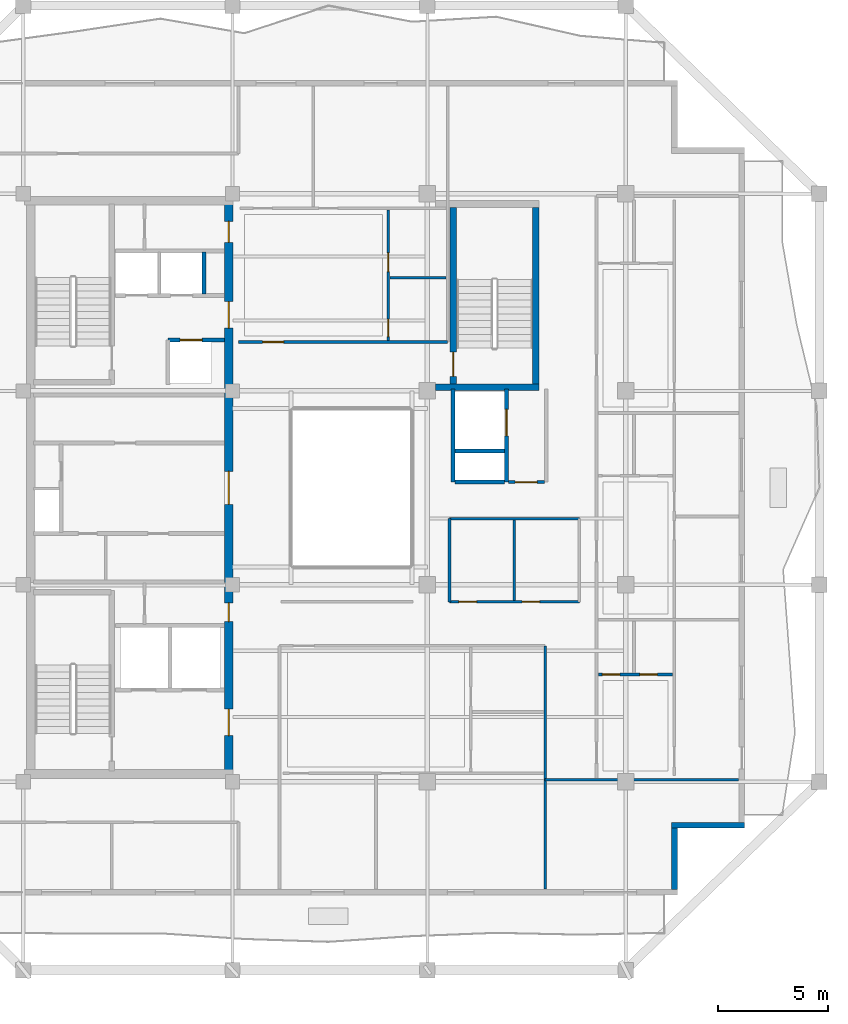
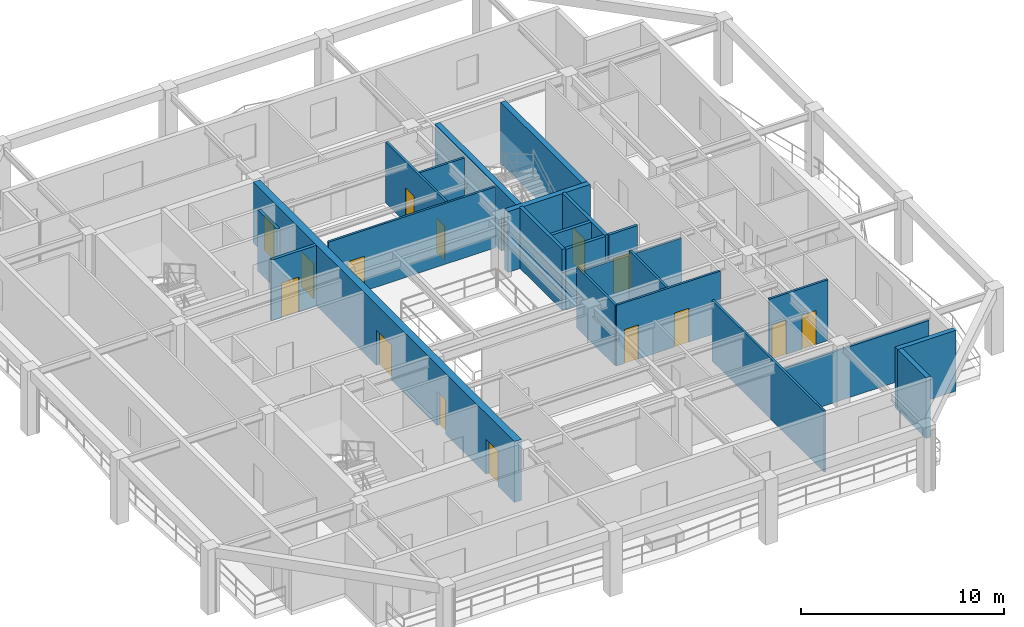
# One storey, part 4 of 10: 23 walls, 16 doors, 16 openings.
"""IFC4 building model written with IfcOpenShell, lengths in metres."""

from ifc_helpers import new_model, si_unit, direction, frame, frame_2d, origin, place, context, subcontext, project, spatial, rectangle, extrude, material, layer, layer_set, type_object, element, fill, save


model = new_model("IFC4")

# Units and contexts
model_context = context("Model", 3, precision=1e-05, world=origin(), true_north=direction((0.0, 1.0)))
body_context = subcontext(model_context, "Body", "Model", "MODEL_VIEW")
ifc_project = project(units=[si_unit("LENGTHUNIT", "METRE"), si_unit("AREAUNIT", "SQUARE_METRE"), si_unit("VOLUMEUNIT", "CUBIC_METRE"), si_unit("PLANEANGLEUNIT", "RADIAN"), si_unit("MASSUNIT", "GRAM", prefix="KILO")], contexts=[model_context])

# Site, building, storey
site_placement = place(None, origin())
site = spatial("IfcSite", under=ifc_project, at=site_placement, CompositionType="ELEMENT")
building_placement = place(site_placement, origin())
building = spatial("IfcBuilding", under=site, at=building_placement, Name="Kundavana Baori Tower", CompositionType="ELEMENT")
storey_placement = place(building_placement, frame((0.0, 0.0, 288.199951171875)))
storey = spatial("IfcBuildingStorey", under=building, at=storey_placement, Name="L71", CompositionType="ELEMENT", Elevation=288.199951171875)

# Wall, openings, doors
ifc_material_1 = material(Name="Concrete C50/60", Category="concrete")
ifc_layer_1 = layer(ifc_material_1, 0.39990234375, Name="WL-CORE-400")
ifc_layer_set_1 = layer_set([ifc_layer_1], Name="Concrete C50/60")
wall_type_1 = type_object("IfcWallType", Name="WL-CORE-400", PredefinedType="SHEAR", material=ifc_layer_set_1)
wall_1_placement = place(storey_placement, frame((24.780029296875, 15.739990234375, 0.0), z_axis=(0.0, 0.0, 1.0), x_axis=(0.0, 1.0, 0.0)))
wall_1 = element("IfcWall", 1, at=wall_1_placement, inside=storey, type_object=wall_type_1, Name="L71 Offset Core East Shear Wall", PredefinedType="SHEAR", context=body_context, shape_type="SweptSolid", body=[
    extrude(rectangle(XDim=25.760009765625, YDim=0.39990234375, at=frame_2d((12.8798828125, 0.0))), origin(), (0.0, 0.0, 1.0), 3.66015625),
])
opening_1_placement = place(wall_1_placement, frame((1.610107421875, 0.0, 0.0)))
opening_1 = element("IfcOpeningElement", 2, at=opening_1_placement, cuts=wall_1, Name="Opening FD-120", PredefinedType="OPENING", context=body_context, shape_type="SweptSolid", body=[
    extrude(rectangle(XDim=1.199951171875, YDim=2.10009765625, at=frame_2d((0.60009765625, 1.050048828125))), frame((0.0, 0.2099609375, 0.0), z_axis=(0.0, -1.0, 0.0), x_axis=(1.0, 0.0, 0.0)), (0.0, 0.0, 1.0), 0.419921875),
])
opening_2_placement = place(wall_1_placement, frame((6.780029296875, 0.0, 0.0)))
opening_2 = element("IfcOpeningElement", 3, at=opening_2_placement, cuts=wall_1, Name="Opening FD-085", PredefinedType="OPENING", context=body_context, shape_type="SweptSolid", body=[
    extrude(rectangle(XDim=0.85009765625, YDim=2.06005859375, at=frame_2d((0.425048828125, 1.030029296875))), frame((0.0, 0.2099609375, 0.0), z_axis=(0.0, -1.0, 0.0), x_axis=(1.0, 0.0, 0.0)), (0.0, 0.0, 1.0), 0.419921875),
])
opening_3_placement = place(wall_1_placement, frame((12.110107421875, 0.0, 0.0)))
opening_3 = element("IfcOpeningElement", 4, at=opening_3_placement, cuts=wall_1, Name="Opening FD-150", PredefinedType="OPENING", context=body_context, shape_type="SweptSolid", body=[
    extrude(rectangle(XDim=1.5, YDim=2.1201171875, at=frame_2d((0.75, 1.06005859375))), frame((0.0, 0.2099609375, 0.0), z_axis=(0.0, -1.0, 0.0), x_axis=(1.0, 0.0, 0.0)), (0.0, 0.0, 1.0), 0.419921875),
])
opening_4_placement = place(wall_1_placement, frame((20.110107421875, 0.0, 0.0)))
opening_4 = element("IfcOpeningElement", 5, at=opening_4_placement, cuts=wall_1, Name="Opening FD-122", PredefinedType="OPENING", context=body_context, shape_type="SweptSolid", body=[
    extrude(rectangle(XDim=1.199951171875, YDim=2.1201171875, at=frame_2d((0.60009765625, 1.06005859375))), frame((0.0, 0.2099609375, 0.0), z_axis=(0.0, -1.0, 0.0), x_axis=(1.0, 0.0, 0.0)), (0.0, 0.0, 1.0), 0.419921875),
])
opening_5_placement = place(wall_1_placement, frame((24.010009765625, 0.0, 0.0)))
opening_5 = element("IfcOpeningElement", 6, at=opening_5_placement, cuts=wall_1, Name="Opening FD-095", PredefinedType="OPENING", context=body_context, shape_type="SweptSolid", body=[
    extrude(rectangle(XDim=0.949951171875, YDim=2.10009765625, at=frame_2d((0.47509765625, 1.050048828125))), frame((0.0, 0.2099609375, 0.0), z_axis=(0.0, -1.0, 0.0), x_axis=(1.0, 0.0, 0.0)), (0.0, 0.0, 1.0), 0.419921875),
])
ifc_material_2 = material(Name="Galvanised Steel Fire-Rated Door Leaf", Category="steel")
door_type_1 = type_object("IfcDoorType", Name="DR-FD120-1200", OperationType="NOTDEFINED", PredefinedType="DOOR", material=ifc_material_2)
door_1_placement = place(opening_1_placement, frame((1.199951171875, 0.0, 0.0), z_axis=(0.0, 0.0, 1.0), x_axis=(-1.0, 0.0, 0.0)))
door_1 = element("IfcDoor", 7, at=door_1_placement, inside=storey, type_object=door_type_1, Name="DR-L71-FFLOB-E", OperationType="SINGLE_SWING_RIGHT", OverallHeight=2.10009765625, OverallWidth=1.199951171875, PredefinedType="DOOR", context=body_context, shape_type="SweptSolid", body=[
    extrude(rectangle(XDim=1.199951171875, YDim=2.10009765625, at=frame_2d((0.60009765625, 1.050048828125))), frame((0.0, 0.02490234375, 0.0), z_axis=(0.0, -1.0, 0.0), x_axis=(1.0, 0.0, 0.0)), (0.0, 0.0, 1.0), 0.050048828125),
])
fill(opening_1, door_1)
ifc_material_3 = material(Name="Galvanised Steel Fire-Rated Door Leaf", Category="steel")
door_type_2 = type_object("IfcDoorType", Name="DR-FD60-1200", OperationType="NOTDEFINED", PredefinedType="DOOR", material=ifc_material_3)
door_2_placement = place(opening_4_placement, frame((1.199951171875, 0.0, 0.0), z_axis=(0.0, 0.0, 1.0), x_axis=(-1.0, 0.0, 0.0)))
door_2 = element("IfcDoor", 8, at=door_2_placement, inside=storey, type_object=door_type_2, Name="DR-L71-HRLOB-E", OperationType="SINGLE_SWING_RIGHT", OverallHeight=2.1201171875, OverallWidth=1.199951171875, PredefinedType="DOOR", context=body_context, shape_type="SweptSolid", body=[
    extrude(rectangle(XDim=1.199951171875, YDim=2.1201171875, at=frame_2d((0.60009765625, 1.06005859375))), frame((0.0, 0.02490234375, 0.0), z_axis=(0.0, -1.0, 0.0), x_axis=(1.0, 0.0, 0.0)), (0.0, 0.0, 1.0), 0.050048828125),
])
fill(opening_4, door_2)
ifc_material_4 = material(Name="Galvanised Steel Fire-Rated Door Leaf", Category="steel")
door_type_3 = type_object("IfcDoorType", Name="DR-FD60-1500", OperationType="NOTDEFINED", PredefinedType="DOOR", material=ifc_material_4)
door_3_placement = place(opening_3_placement, frame((1.5, 0.0, 0.0), z_axis=(0.0, 0.0, 1.0), x_axis=(-1.0, 0.0, 0.0)))
door_3 = element("IfcDoor", 9, at=door_3_placement, inside=storey, type_object=door_type_3, Name="DR-L71-LIFTHALL-E", OperationType="SINGLE_SWING_LEFT", OverallHeight=2.1201171875, OverallWidth=1.5, PredefinedType="DOOR", context=body_context, shape_type="SweptSolid", body=[
    extrude(rectangle(XDim=1.5, YDim=2.1201171875, at=frame_2d((0.75, 1.06005859375))), frame((0.0, 0.02490234375, 0.0), z_axis=(0.0, -1.0, 0.0), x_axis=(1.0, 0.0, 0.0)), (0.0, 0.0, 1.0), 0.050048828125),
])
fill(opening_3, door_3)
ifc_material_5 = material(Name="Galvanised Steel Fire-Rated Door Leaf", Category="steel")
door_type_4 = type_object("IfcDoorType", Name="DR-FD60-850", OperationType="NOTDEFINED", PredefinedType="DOOR", material=ifc_material_5)
door_4_placement = place(opening_2_placement, frame((0.85009765625, 0.0, 0.0), z_axis=(0.0, 0.0, 1.0), x_axis=(-1.0, 0.0, 0.0)))
door_4 = element("IfcDoor", 10, at=door_4_placement, inside=storey, type_object=door_type_4, Name="DR-L71-CSMK2", OperationType="SINGLE_SWING_LEFT", OverallHeight=2.06005859375, OverallWidth=0.85009765625, PredefinedType="DOOR", context=body_context, shape_type="SweptSolid", body=[
    extrude(rectangle(XDim=0.85009765625, YDim=2.06005859375, at=frame_2d((0.425048828125, 1.030029296875))), frame((0.0, 0.02490234375, 0.0), z_axis=(0.0, -1.0, 0.0), x_axis=(1.0, 0.0, 0.0)), (0.0, 0.0, 1.0), 0.050048828125),
])
fill(opening_2, door_4)
ifc_material_6 = material(Name="Engineered Teak Fire-Rated Timber Door Leaf", Category="wood")
door_type_5 = type_object("IfcDoorType", Name="DR-FD60-950", OperationType="NOTDEFINED", PredefinedType="DOOR", material=ifc_material_6)
door_5_placement = place(opening_5_placement, frame((0.949951171875, 0.0, 0.0), z_axis=(0.0, 0.0, 1.0), x_axis=(-1.0, 0.0, 0.0)))
door_5 = element("IfcDoor", 11, at=door_5_placement, inside=storey, type_object=door_type_5, Name="DR-L71-CSRV2", OperationType="SINGLE_SWING_LEFT", OverallHeight=2.10009765625, OverallWidth=0.949951171875, PredefinedType="DOOR", context=body_context, shape_type="SweptSolid", body=[
    extrude(rectangle(XDim=0.949951171875, YDim=2.10009765625, at=frame_2d((0.47509765625, 1.050048828125))), frame((0.0, 0.02490234375, 0.0), z_axis=(0.0, -1.0, 0.0), x_axis=(1.0, 0.0, 0.0)), (0.0, 0.0, 1.0), 0.050048828125),
])
fill(opening_5, door_5)

# Walls
ifc_material_7 = material(Name="Kiln-Fired Terracotta Brick-Slip Masonry on Concrete C40/50", Category="masonry")
ifc_layer_2 = layer(ifc_material_7, 0.260009765625, Name="WL-EXT-BRK-260")
ifc_layer_set_2 = layer_set([ifc_layer_2], Name="Kiln-Fired Terracotta Brick-Slip Masonry on Concrete C40/50")
wall_type_2 = type_object("IfcWallType", Name="WL-EXT-BRK-260", PredefinedType="SOLIDWALL", material=ifc_layer_set_2)
wall_2_placement = place(storey_placement, frame((45.02001953125, 10.360107421875, 0.0), z_axis=(0.0, 0.0, 1.0), x_axis=(0.0, 1.0, 0.0)))
element("IfcWall", 12, at=wall_2_placement, inside=storey, type_object=wall_type_2, Name="L71 Exterior Insulated Facade Wall 02", PredefinedType="SOLIDWALL", context=body_context, shape_type="SweptSolid", body=[
    extrude(rectangle(XDim=2.789794921875, YDim=0.260009765625, at=frame_2d((1.39501953125, 0.0))), origin(), (0.0, 0.0, 1.0), 3.66015625),
])
wall_3_placement = place(storey_placement, frame((44.889892578125, 13.280029296875, 0.0), z_axis=(0.0, 0.0, 1.0), x_axis=(1.0, 0.0, 0.0)))
element("IfcWall", 13, at=wall_3_placement, inside=storey, type_object=wall_type_2, Name="L71 Exterior Insulated Facade Wall 03", PredefinedType="SOLIDWALL", context=body_context, shape_type="SweptSolid", body=[
    extrude(rectangle(XDim=3.31005859375, YDim=0.260009765625, at=frame_2d((1.655029296875, 0.0))), origin(), (0.0, 0.0, 1.0), 3.66015625),
])

# Wall, opening, door
ifc_material_8 = material(Name="Acoustic Gypsum Plasterboard on Galvanised Steel Studs", Category="steel")
ifc_layer_3 = layer(ifc_material_8, 0.1201171875, Name="WL-PART-120")
ifc_layer_set_3 = layer_set([ifc_layer_3], Name="Acoustic Gypsum Plasterboard on Galvanised Steel Studs")
wall_type_3 = type_object("IfcWallType", Name="WL-PART-120", PredefinedType="PARTITIONING", material=ifc_layer_set_3)
wall_4_placement = place(storey_placement, frame((25.219970703125, 35.219970703125, 0.0), z_axis=(0.0, 0.0, 1.0), x_axis=(1.0, 0.0, 0.0)))
wall_4 = element("IfcWall", 14, at=wall_4_placement, inside=storey, type_object=wall_type_3, Name="WL-L71-RN", PredefinedType="PARTITIONING", context=body_context, shape_type="SweptSolid", body=[
    extrude(rectangle(XDim=9.5, YDim=0.1201171875, at=frame_2d((4.75, 0.0))), origin(), (0.0, 0.0, 1.0), 3.66015625),
])
opening_6_placement = place(wall_4_placement, frame((1.10009765625, 0.0, 0.0)))
opening_6 = element("IfcOpeningElement", 15, at=opening_6_placement, cuts=wall_4, Name="Opening FD-095", PredefinedType="OPENING", context=body_context, shape_type="SweptSolid", body=[
    extrude(rectangle(XDim=0.949951171875, YDim=2.10009765625, at=frame_2d((0.47509765625, 1.050048828125))), frame((0.0, 0.070068359375, 0.0), z_axis=(0.0, -1.0, 0.0), x_axis=(1.0, 0.0, 0.0)), (0.0, 0.0, 1.0), 0.14013671875),
])
door_6_placement = place(opening_6_placement, origin())
door_6 = element("IfcDoor", 16, at=door_6_placement, inside=storey, type_object=door_type_5, Name="DR-L71-N1-ENT", OperationType="SINGLE_SWING_LEFT", OverallHeight=2.10009765625, OverallWidth=0.949951171875, PredefinedType="DOOR", context=body_context, shape_type="SweptSolid", body=[
    extrude(rectangle(XDim=0.949951171875, YDim=2.10009765625, at=frame_2d((0.47509765625, 1.050048828125))), frame((0.0, 0.02490234375, 0.0), z_axis=(0.0, -1.0, 0.0), x_axis=(1.0, 0.0, 0.0)), (0.0, 0.0, 1.0), 0.050048828125),
])
fill(opening_6, door_6)

# Walls
wall_5_placement = place(storey_placement, frame((39.14990234375, 10.3798828125, 0.0), z_axis=(0.0, 0.0, 1.0), x_axis=(0.0, 1.0, 0.0)))
element("IfcWall", 17, at=wall_5_placement, inside=storey, type_object=wall_type_3, Name="WL-L71-RSEND", PredefinedType="PARTITIONING", context=body_context, shape_type="SweptSolid", body=[
    extrude(rectangle(XDim=11.0400390625, YDim=0.1201171875, at=frame_2d((5.52001953125, 0.0))), origin(), (0.0, 0.0, 1.0), 3.66015625),
])
wall_6_placement = place(storey_placement, frame((39.14990234375, 15.35009765625, 0.0), z_axis=(0.0, 0.0, 1.0), x_axis=(1.0, 0.0, 0.0)))
element("IfcWall", 18, at=wall_6_placement, inside=storey, type_object=wall_type_3, Name="WL-L71-RES", PredefinedType="PARTITIONING", context=body_context, shape_type="SweptSolid", body=[
    extrude(rectangle(XDim=8.77001953125, YDim=0.1201171875, at=frame_2d((4.385009765625, 0.0))), origin(), (0.0, 0.0, 1.0), 3.06005859375),
])

# Wall, openings, doors
wall_7_placement = place(storey_placement, frame((34.800048828125, 23.419921875, 0.0), z_axis=(0.0, 0.0, 1.0), x_axis=(1.0, 0.0, 0.0)))
wall_7 = element("IfcWall", 19, at=wall_7_placement, inside=storey, type_object=wall_type_3, Name="WL-L71-ALS", PredefinedType="PARTITIONING", context=body_context, shape_type="SweptSolid", body=[
    extrude(rectangle(XDim=5.89990234375, YDim=0.1201171875, at=frame_2d((2.949951171875, 0.0))), origin(), (0.0, 0.0, 1.0), 3.66015625),
])
opening_7_placement = place(wall_7_placement, frame((0.429931640625, 0.0, 0.0)))
opening_7 = element("IfcOpeningElement", 20, at=opening_7_placement, cuts=wall_7, Name="Opening WD-080", PredefinedType="OPENING", context=body_context, shape_type="SweptSolid", body=[
    extrude(rectangle(XDim=0.800048828125, YDim=2.050048828125, at=frame_2d((0.39990234375, 1.02490234375))), frame((0.0, 0.070068359375, 0.0), z_axis=(0.0, -1.0, 0.0), x_axis=(1.0, 0.0, 0.0)), (0.0, 0.0, 1.0), 0.14013671875),
])
opening_8_placement = place(wall_7_placement, frame((3.300048828125, 0.0, 0.0)))
opening_8 = element("IfcOpeningElement", 21, at=opening_8_placement, cuts=wall_7, Name="Opening WD-080", PredefinedType="OPENING", context=body_context, shape_type="SweptSolid", body=[
    extrude(rectangle(XDim=0.800048828125, YDim=2.050048828125, at=frame_2d((0.39990234375, 1.02490234375))), frame((0.0, 0.070068359375, 0.0), z_axis=(0.0, -1.0, 0.0), x_axis=(1.0, 0.0, 0.0)), (0.0, 0.0, 1.0), 0.14013671875),
])
ifc_material_9 = material(Name="Engineered Teak Solid-Core Timber Veneer", Category="wood")
door_type_6 = type_object("IfcDoorType", Name="DR-WET-800", OperationType="NOTDEFINED", PredefinedType="DOOR", material=ifc_material_9)
door_7_placement = place(opening_7_placement, origin())
door_7 = element("IfcDoor", 22, at=door_7_placement, inside=storey, type_object=door_type_6, Name="DR-L71-RALC1", OperationType="SINGLE_SWING_LEFT", OverallHeight=2.050048828125, OverallWidth=0.800048828125, PredefinedType="DOOR", context=body_context, shape_type="SweptSolid", body=[
    extrude(rectangle(XDim=0.800048828125, YDim=2.050048828125, at=frame_2d((0.39990234375, 1.02490234375))), frame((0.0, 0.02490234375, 0.0), z_axis=(0.0, -1.0, 0.0), x_axis=(1.0, 0.0, 0.0)), (0.0, 0.0, 1.0), 0.050048828125),
])
fill(opening_7, door_7)
door_8_placement = place(opening_8_placement, origin())
door_8 = element("IfcDoor", 23, at=door_8_placement, inside=storey, type_object=door_type_6, Name="DR-L71-RALC2", OperationType="SINGLE_SWING_LEFT", OverallHeight=2.050048828125, OverallWidth=0.800048828125, PredefinedType="DOOR", context=body_context, shape_type="SweptSolid", body=[
    extrude(rectangle(XDim=0.800048828125, YDim=2.050048828125, at=frame_2d((0.39990234375, 1.02490234375))), frame((0.0, 0.02490234375, 0.0), z_axis=(0.0, -1.0, 0.0), x_axis=(1.0, 0.0, 0.0)), (0.0, 0.0, 1.0), 0.050048828125),
])
fill(opening_8, door_8)

# Walls
wall_8_placement = place(storey_placement, frame((34.800048828125, 27.199951171875, 0.0), z_axis=(0.0, 0.0, 1.0), x_axis=(1.0, 0.0, 0.0)))
element("IfcWall", 24, at=wall_8_placement, inside=storey, type_object=wall_type_3, Name="WL-L71-ALN", PredefinedType="PARTITIONING", context=body_context, shape_type="SweptSolid", body=[
    extrude(rectangle(XDim=5.89990234375, YDim=0.1201171875, at=frame_2d((2.949951171875, 0.0))), origin(), (0.0, 0.0, 1.0), 3.360107421875),
])
wall_9_placement = place(storey_placement, frame((34.800048828125, 23.419921875, 0.0), z_axis=(0.0, 0.0, 1.0), x_axis=(0.0, 1.0, 0.0)))
element("IfcWall", 25, at=wall_9_placement, inside=storey, type_object=wall_type_3, Name="WL-L71-ALW", PredefinedType="PARTITIONING", context=body_context, shape_type="SweptSolid", body=[
    extrude(rectangle(XDim=3.780029296875, YDim=0.1201171875, at=frame_2d((1.89013671875, 0.0))), origin(), (0.0, 0.0, 1.0), 3.66015625),
])
wall_10_placement = place(storey_placement, frame((37.75, 23.47998046875, 0.0), z_axis=(0.0, 0.0, 1.0), x_axis=(0.0, 1.0, 0.0)))
element("IfcWall", 26, at=wall_10_placement, inside=storey, type_object=wall_type_3, Name="WL-L71-ALD1", PredefinedType="PARTITIONING", context=body_context, shape_type="SweptSolid", body=[
    extrude(rectangle(XDim=3.659912109375, YDim=0.1201171875, at=frame_2d((1.830078125, 0.0))), origin(), (0.0, 0.0, 1.0), 3.66015625),
])

# Wall, opening, door
ifc_material_10 = material(Name="Fire-Rated Gypsum Drywall on Galvanised Steel Studs", Category="steel")
ifc_layer_4 = layer(ifc_material_10, 0.14990234375, Name="WL-PART-150")
ifc_layer_set_4 = layer_set([ifc_layer_4], Name="Fire-Rated Gypsum Drywall on Galvanised Steel Studs")
wall_type_4 = type_object("IfcWallType", Name="WL-PART-150", PredefinedType="PARTITIONING", material=ifc_layer_set_4)
wall_11_placement = place(storey_placement, frame((37.47998046875, 28.860107421875, 0.0), z_axis=(0.0, 0.0, 1.0), x_axis=(1.0, 0.0, 0.0)))
wall_11 = element("IfcWall", 27, at=wall_11_placement, inside=storey, type_object=wall_type_4, Name="WL-L71-SVLOB-S", PredefinedType="PARTITIONING", context=body_context, shape_type="SweptSolid", body=[
    extrude(rectangle(XDim=1.64013671875, YDim=0.14990234375, at=frame_2d((0.820068359375, 0.0))), origin(), (0.0, 0.0, 1.0), 3.66015625),
])
opening_9_placement = place(wall_11_placement, frame((0.300048828125, 0.0, 0.0)))
opening_9 = element("IfcOpeningElement", 28, at=opening_9_placement, cuts=wall_11, Name="Opening FD-100", PredefinedType="OPENING", context=body_context, shape_type="SweptSolid", body=[
    extrude(rectangle(XDim=1.0, YDim=2.10009765625, at=frame_2d((0.5, 1.050048828125))), frame((0.0, 0.0849609375, 0.0), z_axis=(0.0, -1.0, 0.0), x_axis=(1.0, 0.0, 0.0)), (0.0, 0.0, 1.0), 0.169921875),
])
ifc_material_11 = material(Name="Engineered Teak Fire-Rated Timber Door Leaf", Category="wood")
door_type_7 = type_object("IfcDoorType", Name="DR-FD60-1000", OperationType="NOTDEFINED", PredefinedType="DOOR", material=ifc_material_11)
door_9_placement = place(opening_9_placement, origin())
door_9 = element("IfcDoor", 29, at=door_9_placement, inside=storey, type_object=door_type_7, Name="DR-L71-SVLOB-OUT", OperationType="SINGLE_SWING_LEFT", OverallHeight=2.10009765625, OverallWidth=1.0, PredefinedType="DOOR", context=body_context, shape_type="SweptSolid", body=[
    extrude(rectangle(XDim=1.0, YDim=2.10009765625, at=frame_2d((0.5, 1.050048828125))), frame((0.0, 0.02490234375, 0.0), z_axis=(0.0, -1.0, 0.0), x_axis=(1.0, 0.0, 0.0)), (0.0, 0.0, 1.0), 0.050048828125),
])
fill(opening_9, door_9)

ifc_material_12 = material(Name="Autoclaved Aerated Concrete Blockwork Masonry", Category="masonry")
ifc_layer_5 = layer(ifc_material_12, 0.179931640625, Name="WL-SHAFT-180")
ifc_layer_set_5 = layer_set([ifc_layer_5], Name="Autoclaved Aerated Concrete Blockwork Masonry")
wall_type_5 = type_object("IfcWallType", Name="WL-SHAFT-180", PredefinedType="SOLIDWALL", material=ifc_layer_set_5)
wall_12_placement = place(storey_placement, frame((22.02001953125, 35.31005859375, 0.0), z_axis=(0.0, 0.0, 1.0), x_axis=(1.0, 0.0, 0.0)))
wall_12 = element("IfcWall", 30, at=wall_12_placement, inside=storey, type_object=wall_type_5, Name="WL-L71-LP11-N", PredefinedType="SOLIDWALL", context=body_context, shape_type="SweptSolid", body=[
    extrude(rectangle(XDim=2.56005859375, YDim=0.179931640625, at=frame_2d((1.280029296875, 0.0))), origin(), (0.0, 0.0, 1.0), 3.66015625),
])
opening_10_placement = place(wall_12_placement, frame((0.550048828125, 0.0, 0.0)))
opening_10 = element("IfcOpeningElement", 31, at=opening_10_placement, cuts=wall_12, Name="Opening LD-100", PredefinedType="OPENING", context=body_context, shape_type="SweptSolid", body=[
    extrude(rectangle(XDim=1.0, YDim=2.10009765625, at=frame_2d((0.5, 1.050048828125))), frame((0.0, 0.10009765625, 0.0), z_axis=(0.0, -1.0, 0.0), x_axis=(1.0, 0.0, 0.0)), (0.0, 0.0, 1.0), 0.199951171875),
])
ifc_material_13 = material(Name="Galvanised Steel Fire-Rated Door Leaf", Category="steel")
door_type_8 = type_object("IfcDoorType", Name="DR-SLIDE-LD1000", OperationType="NOTDEFINED", PredefinedType="DOOR", material=ifc_material_13)
door_10_placement = place(opening_10_placement, origin())
door_10 = element("IfcDoor", 32, at=door_10_placement, inside=storey, type_object=door_type_8, Name="DR-L71-LD-LP11", OperationType="DOUBLE_DOOR_SLIDING", OverallHeight=2.10009765625, OverallWidth=1.0, PredefinedType="DOOR", context=body_context, shape_type="SweptSolid", body=[
    extrude(rectangle(XDim=1.0, YDim=2.10009765625, at=frame_2d((0.5, 1.050048828125))), frame((0.0, 0.02490234375, 0.0), z_axis=(0.0, -1.0, 0.0), x_axis=(1.0, 0.0, 0.0)), (0.0, 0.0, 1.0), 0.050048828125),
])
fill(opening_10, door_10)

# Walls
wall_13_placement = place(storey_placement, frame((23.659912109375, 37.39990234375, 0.0), z_axis=(0.0, 0.0, 1.0), x_axis=(0.0, 1.0, 0.0)))
element("IfcWall", 33, at=wall_13_placement, inside=storey, type_object=wall_type_5, Name="WL-L71-HR-DIV2", PredefinedType="SOLIDWALL", context=body_context, shape_type="SweptSolid", body=[
    extrude(rectangle(XDim=1.900146484375, YDim=0.179931640625, at=frame_2d((0.9501953125, 0.0))), origin(), (0.0, 0.0, 1.0), 3.66015625),
])
wall_14_placement = place(storey_placement, frame((34.9599609375, 28.860107421875, 0.0), z_axis=(0.0, 0.0, 1.0), x_axis=(0.0, 1.0, 0.0)))
element("IfcWall", 34, at=wall_14_placement, inside=storey, type_object=wall_type_5, Name="WL-L71-SVL-W", PredefinedType="SOLIDWALL", context=body_context, shape_type="SweptSolid", body=[
    extrude(rectangle(XDim=4.219970703125, YDim=0.179931640625, at=frame_2d((2.10986328125, 0.0))), origin(), (0.0, 0.0, 1.0), 3.66015625),
])

# Wall, opening, door
wall_15_placement = place(storey_placement, frame((37.389892578125, 28.860107421875, 0.0), z_axis=(0.0, 0.0, 1.0), x_axis=(0.0, 1.0, 0.0)))
wall_15 = element("IfcWall", 35, at=wall_15_placement, inside=storey, type_object=wall_type_5, Name="WL-L71-SVL-E", PredefinedType="SOLIDWALL", context=body_context, shape_type="SweptSolid", body=[
    extrude(rectangle(XDim=4.219970703125, YDim=0.179931640625, at=frame_2d((2.10986328125, 0.0))), origin(), (0.0, 0.0, 1.0), 3.66015625),
])
opening_11_placement = place(wall_15_placement, frame((2.10009765625, 0.0, 0.0)))
opening_11 = element("IfcOpeningElement", 36, at=opening_11_placement, cuts=wall_15, Name="Opening LD-120", PredefinedType="OPENING", context=body_context, shape_type="SweptSolid", body=[
    extrude(rectangle(XDim=1.199951171875, YDim=2.1201171875, at=frame_2d((0.60009765625, 1.06005859375))), frame((0.0, 0.10009765625, 0.0), z_axis=(0.0, -1.0, 0.0), x_axis=(1.0, 0.0, 0.0)), (0.0, 0.0, 1.0), 0.199951171875),
])
ifc_material_14 = material(Name="Galvanised Steel Fire-Rated Door Leaf", Category="steel")
door_type_9 = type_object("IfcDoorType", Name="DR-SLIDE-LD1200", OperationType="NOTDEFINED", PredefinedType="DOOR", material=ifc_material_14)
door_11_placement = place(opening_11_placement, frame((1.199951171875, 0.0, 0.0), z_axis=(0.0, 0.0, 1.0), x_axis=(-1.0, 0.0, 0.0)))
door_11 = element("IfcDoor", 37, at=door_11_placement, inside=storey, type_object=door_type_9, Name="DR-L71-LD-SVL1", OperationType="DOUBLE_DOOR_SLIDING", OverallHeight=2.1201171875, OverallWidth=1.199951171875, PredefinedType="DOOR", context=body_context, shape_type="SweptSolid", body=[
    extrude(rectangle(XDim=1.199951171875, YDim=2.1201171875, at=frame_2d((0.60009765625, 1.06005859375))), frame((0.0, 0.02490234375, 0.0), z_axis=(0.0, -1.0, 0.0), x_axis=(1.0, 0.0, 0.0)), (0.0, 0.0, 1.0), 0.050048828125),
])
fill(opening_11, door_11)

# Walls
for number, where, z_axis, x_axis, name in (
    (38, (35.050048828125, 28.860107421875, 0.0), (0.0, 0.0, 1.0), (1.0, 0.0, 0.0), "WL-L71-SVL-S"),
    (39, (35.050048828125, 30.27001953125, 0.0), (0.0, 0.0, 1.0), (1.0, 0.0, 0.0), "WL-L71-SVL-M"),
):
    element("IfcWall", number, at=place(storey_placement, frame(where, z_axis=z_axis, x_axis=x_axis)), inside=storey, type_object=wall_type_5, Name=name, PredefinedType="SOLIDWALL", context=body_context, shape_type="SweptSolid", body=[
        extrude(rectangle(XDim=2.25, YDim=0.179931640625, at=frame_2d((1.125, 0.0))), origin(), (0.0, 0.0, 1.0), 3.66015625),
    ])
ifc_material_15 = material(Name="Concrete C50/60", Category="concrete")
ifc_layer_6 = layer(ifc_material_15, 0.300048828125, Name="WL-ST3-300")
ifc_layer_set_6 = layer_set([ifc_layer_6], Name="Concrete C50/60")
wall_type_6 = type_object("IfcWallType", Name="WL-ST3-300", PredefinedType="SHEAR", material=ifc_layer_set_6)
wall_16_placement = place(storey_placement, frame((34.175048828125, 33.159912109375, 0.0), z_axis=(0.0, 0.0, 1.0), x_axis=(1.0, 0.0, 0.0)))
element("IfcWall", 40, at=wall_16_placement, inside=storey, type_object=wall_type_6, Name="L71 Stair ST3 South Shear Wall", PredefinedType="SHEAR", context=body_context, shape_type="SweptSolid", body=[
    extrude(rectangle(XDim=4.695068359375, YDim=0.300048828125, at=frame_2d((2.34765625, 0.0))), origin(), (0.0, 0.0, 1.0), 3.66015625),
])

# Wall, opening, door
wall_17_placement = place(storey_placement, frame((34.97998046875, 33.31005859375, 0.0), z_axis=(0.0, 0.0, 1.0), x_axis=(0.0, 1.0, 0.0)))
wall_17 = element("IfcWall", 41, at=wall_17_placement, inside=storey, type_object=wall_type_6, Name="L71 Stair ST3 West Shear Wall", PredefinedType="SHEAR", context=body_context, shape_type="SweptSolid", body=[
    extrude(rectangle(XDim=8.030029296875, YDim=0.300048828125, at=frame_2d((4.01513671875, 0.0))), origin(), (0.0, 0.0, 1.0), 3.66015625),
])
opening_12_placement = place(wall_17_placement, frame((0.35009765625, 0.0, 0.0)))
opening_12 = element("IfcOpeningElement", 42, at=opening_12_placement, cuts=wall_17, Name="Opening FD-110", PredefinedType="OPENING", context=body_context, shape_type="SweptSolid", body=[
    extrude(rectangle(XDim=1.10009765625, YDim=2.10009765625, at=frame_2d((0.550048828125, 1.050048828125))), frame((0.0, 0.16015625, 0.0), z_axis=(0.0, -1.0, 0.0), x_axis=(1.0, 0.0, 0.0)), (0.0, 0.0, 1.0), 0.320068359375),
])
ifc_material_16 = material(Name="Galvanised Steel Fire-Rated Door Leaf", Category="steel")
door_type_10 = type_object("IfcDoorType", Name="DR-FD120-1100", OperationType="NOTDEFINED", PredefinedType="DOOR", material=ifc_material_16)
door_12_placement = place(opening_12_placement, origin())
door_12 = element("IfcDoor", 43, at=door_12_placement, inside=storey, type_object=door_type_10, Name="DR-L71-ST3-W", OperationType="SINGLE_SWING_LEFT", OverallHeight=2.10009765625, OverallWidth=1.10009765625, PredefinedType="DOOR", context=body_context, shape_type="SweptSolid", body=[
    extrude(rectangle(XDim=1.10009765625, YDim=2.10009765625, at=frame_2d((0.550048828125, 1.050048828125))), frame((0.0, 0.02490234375, 0.0), z_axis=(0.0, -1.0, 0.0), x_axis=(1.0, 0.0, 0.0)), (0.0, 0.0, 1.0), 0.050048828125),
])
fill(opening_12, door_12)

# Wall
wall_18_placement = place(storey_placement, frame((38.719970703125, 33.31005859375, 0.0), z_axis=(0.0, 0.0, 1.0), x_axis=(0.0, 1.0, 0.0)))
element("IfcWall", 44, at=wall_18_placement, inside=storey, type_object=wall_type_6, Name="L71 Stair ST3 East Shear Wall", PredefinedType="SHEAR", context=body_context, shape_type="SweptSolid", body=[
    extrude(rectangle(XDim=8.030029296875, YDim=0.300048828125, at=frame_2d((4.01513671875, 0.0))), origin(), (0.0, 0.0, 1.0), 3.66015625),
])

# Wall, openings, doors
ifc_material_17 = material(Name="Autoclaved Aerated Concrete Blockwork Masonry", Category="masonry")
ifc_layer_7 = layer(ifc_material_17, 0.125, Name="WL-WET-120")
ifc_layer_set_7 = layer_set([ifc_layer_7], Name="Autoclaved Aerated Concrete Blockwork Masonry")
wall_type_7 = type_object("IfcWallType", Name="WL-WET-120", PredefinedType="PLUMBINGWALL", material=ifc_layer_set_7)
wall_19_placement = place(storey_placement, frame((32.02490234375, 35.300048828125, 0.0), z_axis=(0.0, 0.0, 1.0), x_axis=(0.0, 1.0, 0.0)))
wall_19 = element("IfcWall", 45, at=wall_19_placement, inside=storey, type_object=wall_type_7, Name="WL-L71-N1-KT", PredefinedType="PLUMBINGWALL", context=body_context, shape_type="SweptSolid", body=[
    extrude(rectangle(XDim=5.909912109375, YDim=0.125, at=frame_2d((2.955078125, 0.0))), origin(), (0.0, 0.0, 1.0), 3.66015625),
])
opening_13_placement = place(wall_19_placement, frame((0.159912109375, 0.0, 0.0)))
opening_13 = element("IfcOpeningElement", 46, at=opening_13_placement, cuts=wall_19, Name="Opening WD-080", PredefinedType="OPENING", context=body_context, shape_type="SweptSolid", body=[
    extrude(rectangle(XDim=0.800048828125, YDim=2.050048828125, at=frame_2d((0.39990234375, 1.02490234375))), frame((0.0, 0.072509765625, 0.0), z_axis=(0.0, -1.0, 0.0), x_axis=(1.0, 0.0, 0.0)), (0.0, 0.0, 1.0), 0.14501953125),
])
opening_14_placement = place(wall_19_placement, frame((3.116943359375, 0.0, 0.0)))
opening_14 = element("IfcOpeningElement", 47, at=opening_14_placement, cuts=wall_19, Name="Opening ID-085", PredefinedType="OPENING", context=body_context, shape_type="SweptSolid", body=[
    extrude(rectangle(XDim=0.85009765625, YDim=2.080078125, at=frame_2d((0.425048828125, 1.0400390625))), frame((0.0, 0.072509765625, 0.0), z_axis=(0.0, -1.0, 0.0), x_axis=(1.0, 0.0, 0.0)), (0.0, 0.0, 1.0), 0.14501953125),
])
ifc_material_18 = material(Name="Engineered Teak Solid-Core Timber Veneer", Category="wood")
door_type_11 = type_object("IfcDoorType", Name="DR-INT-850", OperationType="NOTDEFINED", PredefinedType="DOOR", material=ifc_material_18)
door_13_placement = place(opening_14_placement, origin())
door_13 = element("IfcDoor", 48, at=door_13_placement, inside=storey, type_object=door_type_11, Name="DR-L71-N1-KT", OperationType="SINGLE_SWING_RIGHT", OverallHeight=2.080078125, OverallWidth=0.85009765625, PredefinedType="DOOR", context=body_context, shape_type="SweptSolid", body=[
    extrude(rectangle(XDim=0.85009765625, YDim=2.080078125, at=frame_2d((0.425048828125, 1.0400390625))), frame((0.0, 0.02490234375, 0.0), z_axis=(0.0, -1.0, 0.0), x_axis=(1.0, 0.0, 0.0)), (0.0, 0.0, 1.0), 0.050048828125),
])
fill(opening_14, door_13)
door_14_placement = place(opening_13_placement, origin())
door_14 = element("IfcDoor", 49, at=door_14_placement, inside=storey, type_object=door_type_6, Name="DR-L71-N1-BT", OperationType="SINGLE_SWING_LEFT", OverallHeight=2.050048828125, OverallWidth=0.800048828125, PredefinedType="DOOR", context=body_context, shape_type="SweptSolid", body=[
    extrude(rectangle(XDim=0.800048828125, YDim=2.050048828125, at=frame_2d((0.39990234375, 1.02490234375))), frame((0.0, 0.02490234375, 0.0), z_axis=(0.0, -1.0, 0.0), x_axis=(1.0, 0.0, 0.0)), (0.0, 0.0, 1.0), 0.050048828125),
])
fill(opening_13, door_14)

# Wall
wall_20_placement = place(storey_placement, frame((32.10498046875, 38.136962890625, 0.0), z_axis=(0.0, 0.0, 1.0), x_axis=(1.0, 0.0, 0.0)))
element("IfcWall", 50, at=wall_20_placement, inside=storey, type_object=wall_type_7, Name="WL-L71-N1-BT", PredefinedType="PLUMBINGWALL", context=body_context, shape_type="SweptSolid", body=[
    extrude(rectangle(XDim=2.534912109375, YDim=0.125, at=frame_2d((1.267578125, 0.0))), origin(), (0.0, 0.0, 1.0), 3.66015625),
])

# Wall, openings, doors
wall_21_placement = place(storey_placement, frame((41.580078125, 20.1201171875, 0.0), z_axis=(0.0, 0.0, 1.0), x_axis=(1.0, 0.0, 0.0)))
wall_21 = element("IfcWall", 51, at=wall_21_placement, inside=storey, type_object=wall_type_7, Name="WL-L71-E1-KH", PredefinedType="PLUMBINGWALL", context=body_context, shape_type="SweptSolid", body=[
    extrude(rectangle(XDim=3.343994140625, YDim=0.125, at=frame_2d((1.671875, 0.0))), origin(), (0.0, 0.0, 1.0), 3.66015625),
])
opening_15_placement = place(wall_21_placement, frame((0.159912109375, 0.0, 0.0)))
opening_15 = element("IfcOpeningElement", 52, at=opening_15_placement, cuts=wall_21, Name="Opening WD-080", PredefinedType="OPENING", context=body_context, shape_type="SweptSolid", body=[
    extrude(rectangle(XDim=0.800048828125, YDim=2.050048828125, at=frame_2d((0.39990234375, 1.02490234375))), frame((0.0, 0.072509765625, 0.0), z_axis=(0.0, -1.0, 0.0), x_axis=(1.0, 0.0, 0.0)), (0.0, 0.0, 1.0), 0.14501953125),
])
opening_16_placement = place(wall_21_placement, frame((1.864990234375, 0.0, 0.0)))
opening_16 = element("IfcOpeningElement", 53, at=opening_16_placement, cuts=wall_21, Name="Opening WD-080", PredefinedType="OPENING", context=body_context, shape_type="SweptSolid", body=[
    extrude(rectangle(XDim=0.800048828125, YDim=2.050048828125, at=frame_2d((0.39990234375, 1.02490234375))), frame((0.0, 0.072509765625, 0.0), z_axis=(0.0, -1.0, 0.0), x_axis=(1.0, 0.0, 0.0)), (0.0, 0.0, 1.0), 0.14501953125),
])
door_15_placement = place(opening_15_placement, origin())
door_15 = element("IfcDoor", 54, at=door_15_placement, inside=storey, type_object=door_type_6, Name="DR-L71-E1-BT", OperationType="SINGLE_SWING_LEFT", OverallHeight=2.050048828125, OverallWidth=0.800048828125, PredefinedType="DOOR", context=body_context, shape_type="SweptSolid", body=[
    extrude(rectangle(XDim=0.800048828125, YDim=2.050048828125, at=frame_2d((0.39990234375, 1.02490234375))), frame((0.0, 0.02490234375, 0.0), z_axis=(0.0, -1.0, 0.0), x_axis=(1.0, 0.0, 0.0)), (0.0, 0.0, 1.0), 0.050048828125),
])
fill(opening_15, door_15)
door_16_placement = place(opening_16_placement, origin())
door_16 = element("IfcDoor", 55, at=door_16_placement, inside=storey, type_object=door_type_6, Name="DR-L71-E1-KT", OperationType="SINGLE_SWING_RIGHT", OverallHeight=2.050048828125, OverallWidth=0.800048828125, PredefinedType="DOOR", context=body_context, shape_type="SweptSolid", body=[
    extrude(rectangle(XDim=0.800048828125, YDim=2.050048828125, at=frame_2d((0.39990234375, 1.02490234375))), frame((0.0, 0.02490234375, 0.0), z_axis=(0.0, -1.0, 0.0), x_axis=(1.0, 0.0, 0.0)), (0.0, 0.0, 1.0), 0.050048828125),
])
fill(opening_16, door_16)

save(model, "model.ifc")
